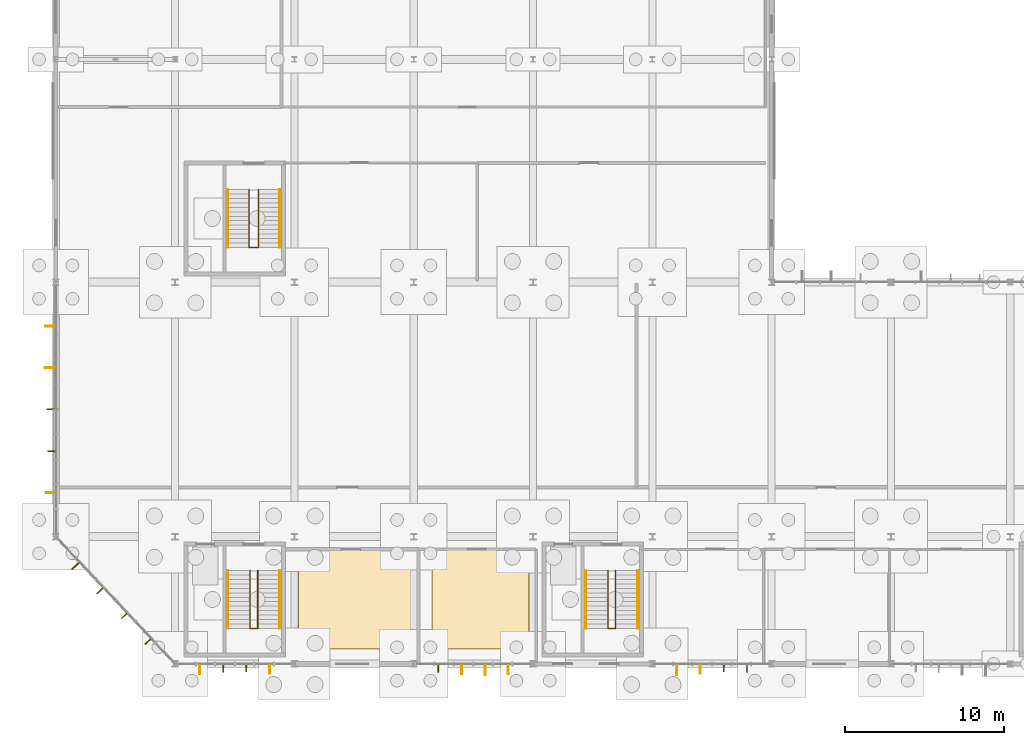
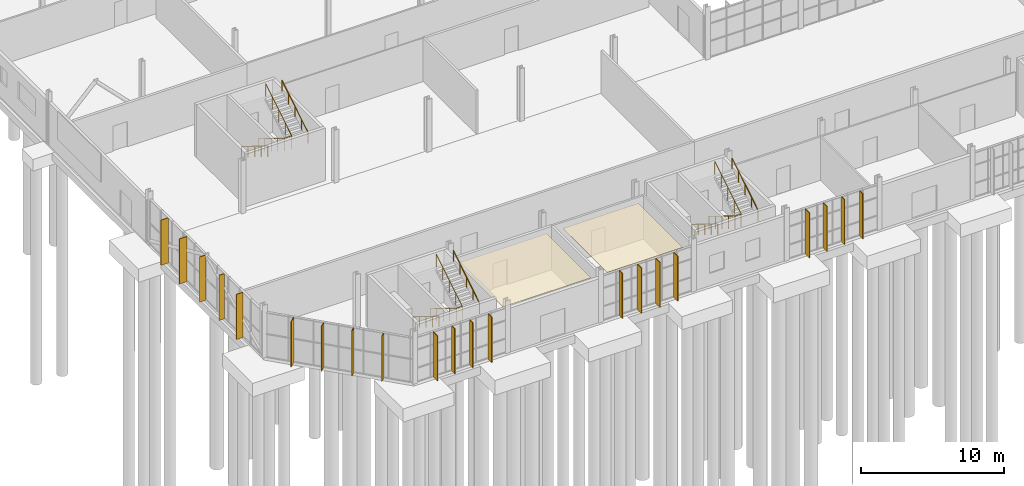
# One storey, part 119 of 136: 23 coverings, 9 railings.
"""IFC4 building model written with IfcOpenShell, lengths in metres."""

from ifc_helpers import new_model, si_unit, direction, frame, origin, origin_2d, place, context, subcontext, project, spatial, polyline, rectangle, circle, outline, extrude, material, layer, layer_set, type_object, element, save


model = new_model("IFC4")

# Units and contexts
model_context = context("Model", 3, precision=1e-05, world=origin(), true_north=direction((0.0, 1.0)))
body_context = subcontext(model_context, "Body", "Model", "MODEL_VIEW")
ifc_project = project(units=[si_unit("LENGTHUNIT", "METRE"), si_unit("AREAUNIT", "SQUARE_METRE"), si_unit("VOLUMEUNIT", "CUBIC_METRE"), si_unit("PLANEANGLEUNIT", "RADIAN"), si_unit("MASSUNIT", "GRAM", prefix="KILO")], contexts=[model_context])

# Site, building, storey
site_placement = place(None, origin())
site = spatial("IfcSite", under=ifc_project, at=site_placement, CompositionType="ELEMENT")
building_placement = place(site_placement, origin())
building = spatial("IfcBuilding", under=site, at=building_placement, Name="Solvenia Promenade Tram Depot", CompositionType="ELEMENT")
storey_placement = place(building_placement, origin())
storey = spatial("IfcBuildingStorey", under=building, at=storey_placement, Name="L00", CompositionType="ELEMENT", Elevation=0.0)

# Coverings
ifc_material_1 = material(Name="Mineral-fibre acoustic ceiling tile", Category="other")
ifc_layer_1 = layer(ifc_material_1, 0.02001953125, Name="Mineral-fibre acoustic ceiling tile", Category="other")
ifc_layer_set_1 = layer_set([ifc_layer_1], Name="Mineral-fibre acoustic ceiling tile")
covering_type_1 = type_object("IfcCoveringType", Name="Ceiling-Acoustic-20", PredefinedType="CEILING", material=ifc_layer_set_1)
covering_1_placement = place(storey_placement, frame((0.0, 0.0, 3.14990234375)))
element("IfcCovering", 1, at=covering_1_placement, inside=storey, type_object=covering_type_1, Name="Fire Command and Security Room Acoustic Ceiling", PredefinedType="CEILING", context=body_context, shape_type="SweptSolid", body=[
    extrude(outline(polyline([(15.25, 0.949951171875), (22.35009765625, 0.949951171875), (22.35009765625, 7.159912109375), (15.25, 7.159912109375), (15.25, 0.949951171875)])), origin(), (0.0, 0.0, 1.0), 0.02001953125),
])
covering_2_placement = place(storey_placement, frame((0.0, 0.0, 3.14990234375)))
element("IfcCovering", 2, at=covering_2_placement, inside=storey, type_object=covering_type_1, Name="Yard Dispatch Office Acoustic Ceiling", PredefinedType="CEILING", context=body_context, shape_type="SweptSolid", body=[
    extrude(outline(polyline([(23.64990234375, 0.949951171875), (29.75, 0.949951171875), (29.75, 7.159912109375), (23.64990234375, 7.159912109375), (23.64990234375, 0.949951171875)])), origin(), (0.0, 0.0, 1.0), 0.02001953125),
])
ifc_material_2 = material(Name="Anodized aluminium AW-6063 T6", Category="aluminium")
ifc_layer_2 = layer(ifc_material_2, 0.06005859375, Name="Anodized aluminium AW-6063 T6", Category="aluminium")
ifc_layer_set_2 = layer_set([ifc_layer_2], Name="Anodized aluminium AW-6063 T6")
covering_type_2 = type_object("IfcCoveringType", Name="Fin-Param-560", PredefinedType="CLADDING", material=ifc_layer_set_2)
covering_3_placement = place(storey_placement, frame((1.2255859375, 6.142822265625, 0.0), z_axis=(0.0, 0.0, 1.0), x_axis=(0.683910700219, -0.729565729819, 0.0)))
element("IfcCovering", 3, at=covering_3_placement, inside=storey, type_object=covering_type_2, Name="Parametric Vertical Brise-Soleil Fin 253", PredefinedType="CLADDING", context=body_context, shape_type="SweptSolid", body=[
    extrude(rectangle(XDim=0.06005859375, YDim=0.60205078125, at=origin_2d()), origin(), (0.0, 0.0, 1.0), 3.85009765625),
])
covering_4_placement = place(storey_placement, frame((2.762451171875, 4.577392578125, 0.0), z_axis=(0.0, 0.0, 1.0), x_axis=(0.683910700219, -0.729565729819, 0.0)))
element("IfcCovering", 4, at=covering_4_placement, inside=storey, type_object=covering_type_2, Name="Parametric Vertical Brise-Soleil Fin 254", PredefinedType="CLADDING", context=body_context, shape_type="SweptSolid", body=[
    extrude(rectangle(XDim=0.06005859375, YDim=0.5009765625, at=origin_2d()), origin(), (0.0, 0.0, 1.0), 3.85009765625),
])
covering_5_placement = place(storey_placement, frame((4.289794921875, 3.0029296875, 0.0), z_axis=(0.0, 0.0, 1.0), x_axis=(0.683910700219, -0.729565729819, 0.0)))
element("IfcCovering", 5, at=covering_5_placement, inside=storey, type_object=covering_type_2, Name="Parametric Vertical Brise-Soleil Fin 255", PredefinedType="CLADDING", context=body_context, shape_type="SweptSolid", body=[
    extrude(rectangle(XDim=0.06005859375, YDim=0.426025390625, at=origin_2d()), origin(), (0.0, 0.0, 1.0), 3.85009765625),
])
covering_6_placement = place(storey_placement, frame((5.78369140625, 1.397216796875, 0.0), z_axis=(0.0, 0.0, 1.0), x_axis=(0.683910700219, -0.729565729819, 0.0)))
element("IfcCovering", 6, at=covering_6_placement, inside=storey, type_object=covering_type_2, Name="Parametric Vertical Brise-Soleil Fin 256", PredefinedType="CLADDING", context=body_context, shape_type="SweptSolid", body=[
    extrude(rectangle(XDim=0.06005859375, YDim=0.443115234375, at=origin_2d()), origin(), (0.0, 0.0, 1.0), 3.85009765625),
])
covering_7_placement = place(storey_placement, frame((9.048095703125, -0.366943359375, 0.0), z_axis=(0.0, 0.0, 1.0), x_axis=(1.0, 0.0, 0.0)))
element("IfcCovering", 7, at=covering_7_placement, inside=storey, type_object=covering_type_2, Name="Parametric Vertical Brise-Soleil Fin 261", PredefinedType="CLADDING", context=body_context, shape_type="SweptSolid", body=[
    extrude(rectangle(XDim=0.06005859375, YDim=0.583984375, at=origin_2d()), origin(), (0.0, 0.0, 1.0), 3.85009765625),
])
covering_8_placement = place(storey_placement, frame((10.51611328125, -0.302490234375, 0.0), z_axis=(0.0, 0.0, 1.0), x_axis=(1.0, 0.0, 0.0)))
element("IfcCovering", 8, at=covering_8_placement, inside=storey, type_object=covering_type_2, Name="Parametric Vertical Brise-Soleil Fin 262", PredefinedType="CLADDING", context=body_context, shape_type="SweptSolid", body=[
    extrude(rectangle(XDim=0.06005859375, YDim=0.455078125, at=origin_2d()), origin(), (0.0, 0.0, 1.0), 3.85009765625),
])
covering_9_placement = place(storey_placement, frame((11.98388671875, -0.29052734375, 0.0), z_axis=(0.0, 0.0, 1.0), x_axis=(1.0, 0.0, 0.0)))
element("IfcCovering", 9, at=covering_9_placement, inside=storey, type_object=covering_type_2, Name="Parametric Vertical Brise-Soleil Fin 263", PredefinedType="CLADDING", context=body_context, shape_type="SweptSolid", body=[
    extrude(rectangle(XDim=0.06005859375, YDim=0.430908203125, at=origin_2d()), origin(), (0.0, 0.0, 1.0), 3.85009765625),
])
covering_10_placement = place(storey_placement, frame((13.451904296875, -0.347412109375, 0.0), z_axis=(0.0, 0.0, 1.0), x_axis=(1.0, 0.0, 0.0)))
element("IfcCovering", 10, at=covering_10_placement, inside=storey, type_object=covering_type_2, Name="Parametric Vertical Brise-Soleil Fin 264", PredefinedType="CLADDING", context=body_context, shape_type="SweptSolid", body=[
    extrude(rectangle(XDim=0.06005859375, YDim=0.544921875, at=origin_2d()), origin(), (0.0, 0.0, 1.0), 3.85009765625),
])
covering_11_placement = place(storey_placement, frame((24.048095703125, -0.294921875, 0.0), z_axis=(0.0, 0.0, 1.0), x_axis=(1.0, 0.0, 0.0)))
element("IfcCovering", 11, at=covering_11_placement, inside=storey, type_object=covering_type_2, Name="Parametric Vertical Brise-Soleil Fin 265", PredefinedType="CLADDING", context=body_context, shape_type="SweptSolid", body=[
    extrude(rectangle(XDim=0.06005859375, YDim=0.43994140625, at=origin_2d()), origin(), (0.0, 0.0, 1.0), 3.85009765625),
])
covering_12_placement = place(storey_placement, frame((25.51611328125, -0.35693359375, 0.0), z_axis=(0.0, 0.0, 1.0), x_axis=(1.0, 0.0, 0.0)))
element("IfcCovering", 12, at=covering_12_placement, inside=storey, type_object=covering_type_2, Name="Parametric Vertical Brise-Soleil Fin 266", PredefinedType="CLADDING", context=body_context, shape_type="SweptSolid", body=[
    extrude(rectangle(XDim=0.06005859375, YDim=0.56396484375, at=origin_2d()), origin(), (0.0, 0.0, 1.0), 3.85009765625),
])
covering_13_placement = place(storey_placement, frame((26.98388671875, -0.39501953125, 0.0), z_axis=(0.0, 0.0, 1.0), x_axis=(1.0, 0.0, 0.0)))
element("IfcCovering", 13, at=covering_13_placement, inside=storey, type_object=covering_type_2, Name="Parametric Vertical Brise-Soleil Fin 267", PredefinedType="CLADDING", context=body_context, shape_type="SweptSolid", body=[
    extrude(rectangle(XDim=0.06005859375, YDim=0.639892578125, at=origin_2d()), origin(), (0.0, 0.0, 1.0), 3.85009765625),
])
covering_14_placement = place(storey_placement, frame((28.451904296875, -0.3564453125, 0.0), z_axis=(0.0, 0.0, 1.0), x_axis=(1.0, 0.0, 0.0)))
element("IfcCovering", 14, at=covering_14_placement, inside=storey, type_object=covering_type_2, Name="Parametric Vertical Brise-Soleil Fin 268", PredefinedType="CLADDING", context=body_context, shape_type="SweptSolid", body=[
    extrude(rectangle(XDim=0.06005859375, YDim=0.56298828125, at=origin_2d()), origin(), (0.0, 0.0, 1.0), 3.85009765625),
])
covering_15_placement = place(storey_placement, frame((39.048095703125, -0.39404296875, 0.0), z_axis=(0.0, 0.0, 1.0), x_axis=(1.0, 0.0, 0.0)))
element("IfcCovering", 15, at=covering_15_placement, inside=storey, type_object=covering_type_2, Name="Parametric Vertical Brise-Soleil Fin 269", PredefinedType="CLADDING", context=body_context, shape_type="SweptSolid", body=[
    extrude(rectangle(XDim=0.06005859375, YDim=0.637939453125, at=origin_2d()), origin(), (0.0, 0.0, 1.0), 3.85009765625),
])
covering_16_placement = place(storey_placement, frame((40.51611328125, -0.346923828125, 0.0), z_axis=(0.0, 0.0, 1.0), x_axis=(1.0, 0.0, 0.0)))
element("IfcCovering", 16, at=covering_16_placement, inside=storey, type_object=covering_type_2, Name="Parametric Vertical Brise-Soleil Fin 270", PredefinedType="CLADDING", context=body_context, shape_type="SweptSolid", body=[
    extrude(rectangle(XDim=0.06005859375, YDim=0.5439453125, at=origin_2d()), origin(), (0.0, 0.0, 1.0), 3.85009765625),
])
covering_17_placement = place(storey_placement, frame((41.98388671875, -0.2900390625, 0.0), z_axis=(0.0, 0.0, 1.0), x_axis=(1.0, 0.0, 0.0)))
element("IfcCovering", 17, at=covering_17_placement, inside=storey, type_object=covering_type_2, Name="Parametric Vertical Brise-Soleil Fin 271", PredefinedType="CLADDING", context=body_context, shape_type="SweptSolid", body=[
    extrude(rectangle(XDim=0.06005859375, YDim=0.429931640625, at=origin_2d()), origin(), (0.0, 0.0, 1.0), 3.85009765625),
])
covering_18_placement = place(storey_placement, frame((43.451904296875, -0.302490234375, 0.0), z_axis=(0.0, 0.0, 1.0), x_axis=(1.0, 0.0, 0.0)))
element("IfcCovering", 18, at=covering_18_placement, inside=storey, type_object=covering_type_2, Name="Parametric Vertical Brise-Soleil Fin 272", PredefinedType="CLADDING", context=body_context, shape_type="SweptSolid", body=[
    extrude(rectangle(XDim=0.06005859375, YDim=0.455078125, at=origin_2d()), origin(), (0.0, 0.0, 1.0), 3.85009765625),
])
covering_19_placement = place(storey_placement, frame((-0.35107421875, 10.7666015625, 0.0), z_axis=(0.0, 0.0, 1.0), x_axis=(0.0, 1.0, 0.0)))
element("IfcCovering", 19, at=covering_19_placement, inside=storey, type_object=covering_type_2, Name="Parametric Vertical Brise-Soleil Fin 296", PredefinedType="CLADDING", context=body_context, shape_type="SweptSolid", body=[
    extrude(rectangle(XDim=0.06005859375, YDim=0.552001953125, at=origin_2d()), origin(), (0.0, 0.0, 1.0), 3.85009765625),
])
covering_20_placement = place(storey_placement, frame((-0.28759765625, 13.38330078125, 0.0), z_axis=(0.0, 0.0, 1.0), x_axis=(0.0, 1.0, 0.0)))
element("IfcCovering", 20, at=covering_20_placement, inside=storey, type_object=covering_type_2, Name="Parametric Vertical Brise-Soleil Fin 297", PredefinedType="CLADDING", context=body_context, shape_type="SweptSolid", body=[
    extrude(rectangle(XDim=0.06005859375, YDim=0.425048828125, at=origin_2d()), origin(), (0.0, 0.0, 1.0), 3.85009765625),
])
covering_21_placement = place(storey_placement, frame((-0.318603515625, 16.0, 0.0), z_axis=(0.0, 0.0, 1.0), x_axis=(0.0, 1.0, 0.0)))
element("IfcCovering", 21, at=covering_21_placement, inside=storey, type_object=covering_type_2, Name="Parametric Vertical Brise-Soleil Fin 298", PredefinedType="CLADDING", context=body_context, shape_type="SweptSolid", body=[
    extrude(rectangle(XDim=0.06005859375, YDim=0.487060546875, at=origin_2d()), origin(), (0.0, 0.0, 1.0), 3.85009765625),
])
covering_22_placement = place(storey_placement, frame((-0.387939453125, 18.61669921875, 0.0), z_axis=(0.0, 0.0, 1.0), x_axis=(0.0, 1.0, 0.0)))
element("IfcCovering", 22, at=covering_22_placement, inside=storey, type_object=covering_type_2, Name="Parametric Vertical Brise-Soleil Fin 299", PredefinedType="CLADDING", context=body_context, shape_type="SweptSolid", body=[
    extrude(rectangle(XDim=0.06005859375, YDim=0.6259765625, at=origin_2d()), origin(), (0.0, 0.0, 1.0), 3.85009765625),
])
covering_23_placement = place(storey_placement, frame((-0.37109375, 21.2333984375, 0.0), z_axis=(0.0, 0.0, 1.0), x_axis=(0.0, 1.0, 0.0)))
element("IfcCovering", 23, at=covering_23_placement, inside=storey, type_object=covering_type_2, Name="Parametric Vertical Brise-Soleil Fin 300", PredefinedType="CLADDING", context=body_context, shape_type="SweptSolid", body=[
    extrude(rectangle(XDim=0.06005859375, YDim=0.592041015625, at=origin_2d()), origin(), (0.0, 0.0, 1.0), 3.85009765625),
])

# Railings
railing_type_1 = type_object("IfcRailingType", Name="Guard-Stair-1100", PredefinedType="GUARDRAIL", material=ifc_material_2)
railing_1_placement = place(storey_placement, frame((12.2099609375, 5.8701171875, 0.0)))
element("IfcRailing", 24, at=railing_1_placement, inside=storey, type_object=railing_type_1, Name="Stair Inner Well Guard ST-01-L00", PredefinedType="GUARDRAIL", context=body_context, shape_type="SweptSolid", body=[
    extrude(circle(Radius=0.02392578125, at=origin_2d()), frame((0.0, 0.0, 1.09619140625), z_axis=(0.0, -0.850622404505, 0.525777067734), x_axis=(1.0, 0.0, 0.0)), (0.0, 0.0, 1.0), 4.279296875),
    extrude(circle(Radius=0.02392578125, at=origin_2d()), frame((0.0, -3.64013671875, 3.34619140625), z_axis=(1.0, 0.0, 0.0), x_axis=(0.0, 1.0, 0.0)), (0.0, 0.0, 1.0), 0.47998046875),
    extrude(circle(Radius=0.02392578125, at=origin_2d()), frame((0.47998046875, -3.64013671875, 3.34619140625), z_axis=(0.0, 0.850622404505, 0.525777067734), x_axis=(-1.0, 0.0, 0.0)), (0.0, 0.0, 1.0), 4.279296875),
    extrude(circle(Radius=0.02099609375, at=origin_2d()), origin(), (0.0, 0.0, 1.0), 1.072021484375),
    extrude(circle(Radius=0.02099609375, at=origin_2d()), frame((0.0, -0.91015625, 0.5625)), (0.0, 0.0, 1.0), 1.072021484375),
    extrude(circle(Radius=0.02099609375, at=origin_2d()), frame((0.0, -1.820068359375, 1.125)), (0.0, 0.0, 1.0), 1.072021484375),
    extrude(circle(Radius=0.02099609375, at=origin_2d()), frame((0.0, -2.72998046875, 1.6875)), (0.0, 0.0, 1.0), 1.072021484375),
    extrude(circle(Radius=0.02099609375, at=origin_2d()), frame((0.0, -3.64013671875, 2.25)), (0.0, 0.0, 1.0), 1.072021484375),
    extrude(circle(Radius=0.02099609375, at=origin_2d()), frame((0.47998046875, -3.64013671875, 2.25)), (0.0, 0.0, 1.0), 1.072021484375),
    extrude(circle(Radius=0.02099609375, at=origin_2d()), frame((0.47998046875, -2.72998046875, 2.8125)), (0.0, 0.0, 1.0), 1.072021484375),
    extrude(circle(Radius=0.02099609375, at=origin_2d()), frame((0.47998046875, -1.820068359375, 3.375)), (0.0, 0.0, 1.0), 1.072021484375),
    extrude(circle(Radius=0.02099609375, at=origin_2d()), frame((0.47998046875, -0.91015625, 3.9375)), (0.0, 0.0, 1.0), 1.072021484375),
    extrude(circle(Radius=0.02099609375, at=origin_2d()), frame((0.47998046875, 0.0, 4.5)), (0.0, 0.0, 1.0), 1.072021484375),
])
railing_2_placement = place(storey_placement, frame((34.7099609375, 5.8701171875, 0.0)))
element("IfcRailing", 25, at=railing_2_placement, inside=storey, type_object=railing_type_1, Name="Stair Inner Well Guard ST-02-L00", PredefinedType="GUARDRAIL", context=body_context, shape_type="SweptSolid", body=[
    extrude(circle(Radius=0.02392578125, at=origin_2d()), frame((0.0, 0.0, 1.09619140625), z_axis=(0.0, -0.850622404505, 0.525777067734), x_axis=(1.0, 0.0, 0.0)), (0.0, 0.0, 1.0), 4.279296875),
    extrude(circle(Radius=0.02392578125, at=origin_2d()), frame((0.0, -3.64013671875, 3.34619140625), z_axis=(1.0, 0.0, 0.0), x_axis=(0.0, 1.0, 0.0)), (0.0, 0.0, 1.0), 0.47998046875),
    extrude(circle(Radius=0.02392578125, at=origin_2d()), frame((0.47998046875, -3.64013671875, 3.34619140625), z_axis=(0.0, 0.850622404505, 0.525777067734), x_axis=(-1.0, 0.0, 0.0)), (0.0, 0.0, 1.0), 4.279296875),
    extrude(circle(Radius=0.02099609375, at=origin_2d()), origin(), (0.0, 0.0, 1.0), 1.072021484375),
    extrude(circle(Radius=0.02099609375, at=origin_2d()), frame((0.0, -0.91015625, 0.5625)), (0.0, 0.0, 1.0), 1.072021484375),
    extrude(circle(Radius=0.02099609375, at=origin_2d()), frame((0.0, -1.820068359375, 1.125)), (0.0, 0.0, 1.0), 1.072021484375),
    extrude(circle(Radius=0.02099609375, at=origin_2d()), frame((0.0, -2.72998046875, 1.6875)), (0.0, 0.0, 1.0), 1.072021484375),
    extrude(circle(Radius=0.02099609375, at=origin_2d()), frame((0.0, -3.64013671875, 2.25)), (0.0, 0.0, 1.0), 1.072021484375),
    extrude(circle(Radius=0.02099609375, at=origin_2d()), frame((0.47998046875, -3.64013671875, 2.25)), (0.0, 0.0, 1.0), 1.072021484375),
    extrude(circle(Radius=0.02099609375, at=origin_2d()), frame((0.47998046875, -2.72998046875, 2.8125)), (0.0, 0.0, 1.0), 1.072021484375),
    extrude(circle(Radius=0.02099609375, at=origin_2d()), frame((0.47998046875, -1.820068359375, 3.375)), (0.0, 0.0, 1.0), 1.072021484375),
    extrude(circle(Radius=0.02099609375, at=origin_2d()), frame((0.47998046875, -0.91015625, 3.9375)), (0.0, 0.0, 1.0), 1.072021484375),
    extrude(circle(Radius=0.02099609375, at=origin_2d()), frame((0.47998046875, 0.0, 4.5)), (0.0, 0.0, 1.0), 1.072021484375),
])
railing_3_placement = place(storey_placement, frame((12.14990234375, 29.820068359375, 0.0)))
element("IfcRailing", 26, at=railing_3_placement, inside=storey, type_object=railing_type_1, Name="Stair Inner Well Guard ST-07-L00", PredefinedType="GUARDRAIL", context=body_context, shape_type="SweptSolid", body=[
    extrude(circle(Radius=0.02392578125, at=origin_2d()), frame((0.0, 0.0, 1.09619140625), z_axis=(0.0, -0.850622404505, 0.525777067734), x_axis=(1.0, 0.0, 0.0)), (0.0, 0.0, 1.0), 4.279296875),
    extrude(circle(Radius=0.02392578125, at=origin_2d()), frame((0.0, -3.64013671875, 3.34619140625), z_axis=(1.0, 0.0, 0.0), x_axis=(0.0, 1.0, 0.0)), (0.0, 0.0, 1.0), 0.60009765625),
    extrude(circle(Radius=0.02392578125, at=origin_2d()), frame((0.60009765625, -3.64013671875, 3.34619140625), z_axis=(0.0, 0.850622404505, 0.525777067734), x_axis=(-1.0, 0.0, 0.0)), (0.0, 0.0, 1.0), 4.279296875),
    extrude(circle(Radius=0.02099609375, at=origin_2d()), origin(), (0.0, 0.0, 1.0), 1.072021484375),
    extrude(circle(Radius=0.02099609375, at=origin_2d()), frame((0.0, -0.91015625, 0.5625)), (0.0, 0.0, 1.0), 1.072021484375),
    extrude(circle(Radius=0.02099609375, at=origin_2d()), frame((0.0, -1.820068359375, 1.125)), (0.0, 0.0, 1.0), 1.072021484375),
    extrude(circle(Radius=0.02099609375, at=origin_2d()), frame((0.0, -2.72998046875, 1.6875)), (0.0, 0.0, 1.0), 1.072021484375),
    extrude(circle(Radius=0.02099609375, at=origin_2d()), frame((0.0, -3.64013671875, 2.25)), (0.0, 0.0, 1.0), 1.072021484375),
    extrude(circle(Radius=0.02099609375, at=origin_2d()), frame((0.60009765625, -3.64013671875, 2.25)), (0.0, 0.0, 1.0), 1.072021484375),
    extrude(circle(Radius=0.02099609375, at=origin_2d()), frame((0.60009765625, -2.72998046875, 2.8125)), (0.0, 0.0, 1.0), 1.072021484375),
    extrude(circle(Radius=0.02099609375, at=origin_2d()), frame((0.60009765625, -1.820068359375, 3.375)), (0.0, 0.0, 1.0), 1.072021484375),
    extrude(circle(Radius=0.02099609375, at=origin_2d()), frame((0.60009765625, -0.91015625, 3.9375)), (0.0, 0.0, 1.0), 1.072021484375),
    extrude(circle(Radius=0.02099609375, at=origin_2d()), frame((0.60009765625, 0.0, 4.5)), (0.0, 0.0, 1.0), 1.072021484375),
])
railing_type_2 = type_object("IfcRailingType", Name="Handrail-Stair-920", PredefinedType="HANDRAIL", material=ifc_material_2)
railing_4_placement = place(storey_placement, frame((10.820068359375, 5.8701171875, 0.0)))
element("IfcRailing", 27, at=railing_4_placement, inside=storey, type_object=railing_type_2, Name="Stair Wall Handrail ST-01-L00-F1", PredefinedType="HANDRAIL", context=body_context, shape_type="SweptSolid", body=[
    extrude(circle(Radius=0.02392578125, at=origin_2d()), frame((0.0, 0.0, 0.89599609375), z_axis=(0.0, -0.850622404505, 0.525777067734), x_axis=(1.0, 0.0, 0.0)), (0.0, 0.0, 1.0), 4.279296875),
    extrude(circle(Radius=0.02099609375, at=origin_2d()), origin(), (0.0, 0.0, 1.0), 0.871826171875),
    extrude(circle(Radius=0.02099609375, at=origin_2d()), frame((0.0, -0.91015625, 0.5625)), (0.0, 0.0, 1.0), 0.871826171875),
    extrude(circle(Radius=0.02099609375, at=origin_2d()), frame((0.0, -1.820068359375, 1.125)), (0.0, 0.0, 1.0), 0.871826171875),
    extrude(circle(Radius=0.02099609375, at=origin_2d()), frame((0.0, -2.72998046875, 1.6875)), (0.0, 0.0, 1.0), 0.871826171875),
    extrude(circle(Radius=0.02099609375, at=origin_2d()), frame((0.0, -3.64013671875, 2.25)), (0.0, 0.0, 1.0), 0.871826171875),
])
railing_5_placement = place(storey_placement, frame((14.080078125, 2.22998046875, 2.25)))
element("IfcRailing", 28, at=railing_5_placement, inside=storey, type_object=railing_type_2, Name="Stair Wall Handrail ST-01-L00-F2", PredefinedType="HANDRAIL", context=body_context, shape_type="SweptSolid", body=[
    extrude(circle(Radius=0.02392578125, at=origin_2d()), frame((0.0, 0.0, 0.89599609375), z_axis=(0.0, 0.850622404505, 0.525777067734), x_axis=(-1.0, 0.0, 0.0)), (0.0, 0.0, 1.0), 4.279296875),
    extrude(circle(Radius=0.02099609375, at=origin_2d()), origin(), (0.0, 0.0, 1.0), 0.871826171875),
    extrude(circle(Radius=0.02099609375, at=origin_2d()), frame((0.0, 0.91015625, 0.5625)), (0.0, 0.0, 1.0), 0.871826171875),
    extrude(circle(Radius=0.02099609375, at=origin_2d()), frame((0.0, 1.820068359375, 1.125)), (0.0, 0.0, 1.0), 0.871826171875),
    extrude(circle(Radius=0.02099609375, at=origin_2d()), frame((0.0, 2.72998046875, 1.6875)), (0.0, 0.0, 1.0), 0.871826171875),
    extrude(circle(Radius=0.02099609375, at=origin_2d()), frame((0.0, 3.64013671875, 2.25)), (0.0, 0.0, 1.0), 0.871826171875),
])
railing_6_placement = place(storey_placement, frame((33.320068359375, 5.8701171875, 0.0)))
element("IfcRailing", 29, at=railing_6_placement, inside=storey, type_object=railing_type_2, Name="Stair Wall Handrail ST-02-L00-F1", PredefinedType="HANDRAIL", context=body_context, shape_type="SweptSolid", body=[
    extrude(circle(Radius=0.02392578125, at=origin_2d()), frame((0.0, 0.0, 0.89599609375), z_axis=(0.0, -0.850622404505, 0.525777067734), x_axis=(1.0, 0.0, 0.0)), (0.0, 0.0, 1.0), 4.279296875),
    extrude(circle(Radius=0.02099609375, at=origin_2d()), origin(), (0.0, 0.0, 1.0), 0.871826171875),
    extrude(circle(Radius=0.02099609375, at=origin_2d()), frame((0.0, -0.91015625, 0.5625)), (0.0, 0.0, 1.0), 0.871826171875),
    extrude(circle(Radius=0.02099609375, at=origin_2d()), frame((0.0, -1.820068359375, 1.125)), (0.0, 0.0, 1.0), 0.871826171875),
    extrude(circle(Radius=0.02099609375, at=origin_2d()), frame((0.0, -2.72998046875, 1.6875)), (0.0, 0.0, 1.0), 0.871826171875),
    extrude(circle(Radius=0.02099609375, at=origin_2d()), frame((0.0, -3.64013671875, 2.25)), (0.0, 0.0, 1.0), 0.871826171875),
])
railing_7_placement = place(storey_placement, frame((36.580078125, 2.22998046875, 2.25)))
element("IfcRailing", 30, at=railing_7_placement, inside=storey, type_object=railing_type_2, Name="Stair Wall Handrail ST-02-L00-F2", PredefinedType="HANDRAIL", context=body_context, shape_type="SweptSolid", body=[
    extrude(circle(Radius=0.02392578125, at=origin_2d()), frame((0.0, 0.0, 0.89599609375), z_axis=(0.0, 0.850622404505, 0.525777067734), x_axis=(-1.0, 0.0, 0.0)), (0.0, 0.0, 1.0), 4.279296875),
    extrude(circle(Radius=0.02099609375, at=origin_2d()), origin(), (0.0, 0.0, 1.0), 0.871826171875),
    extrude(circle(Radius=0.02099609375, at=origin_2d()), frame((0.0, 0.91015625, 0.5625)), (0.0, 0.0, 1.0), 0.871826171875),
    extrude(circle(Radius=0.02099609375, at=origin_2d()), frame((0.0, 1.820068359375, 1.125)), (0.0, 0.0, 1.0), 0.871826171875),
    extrude(circle(Radius=0.02099609375, at=origin_2d()), frame((0.0, 2.72998046875, 1.6875)), (0.0, 0.0, 1.0), 0.871826171875),
    extrude(circle(Radius=0.02099609375, at=origin_2d()), frame((0.0, 3.64013671875, 2.25)), (0.0, 0.0, 1.0), 0.871826171875),
])
railing_8_placement = place(storey_placement, frame((10.820068359375, 29.820068359375, 0.0)))
element("IfcRailing", 31, at=railing_8_placement, inside=storey, type_object=railing_type_2, Name="Stair Wall Handrail ST-07-L00-F1", PredefinedType="HANDRAIL", context=body_context, shape_type="SweptSolid", body=[
    extrude(circle(Radius=0.02392578125, at=origin_2d()), frame((0.0, 0.0, 0.89599609375), z_axis=(0.0, -0.850622404505, 0.525777067734), x_axis=(1.0, 0.0, 0.0)), (0.0, 0.0, 1.0), 4.279296875),
    extrude(circle(Radius=0.02099609375, at=origin_2d()), origin(), (0.0, 0.0, 1.0), 0.871826171875),
    extrude(circle(Radius=0.02099609375, at=origin_2d()), frame((0.0, -0.91015625, 0.5625)), (0.0, 0.0, 1.0), 0.871826171875),
    extrude(circle(Radius=0.02099609375, at=origin_2d()), frame((0.0, -1.820068359375, 1.125)), (0.0, 0.0, 1.0), 0.871826171875),
    extrude(circle(Radius=0.02099609375, at=origin_2d()), frame((0.0, -2.72998046875, 1.6875)), (0.0, 0.0, 1.0), 0.871826171875),
    extrude(circle(Radius=0.02099609375, at=origin_2d()), frame((0.0, -3.64013671875, 2.25)), (0.0, 0.0, 1.0), 0.871826171875),
])
railing_9_placement = place(storey_placement, frame((14.080078125, 26.179931640625, 2.25)))
element("IfcRailing", 32, at=railing_9_placement, inside=storey, type_object=railing_type_2, Name="Stair Wall Handrail ST-07-L00-F2", PredefinedType="HANDRAIL", context=body_context, shape_type="SweptSolid", body=[
    extrude(circle(Radius=0.02392578125, at=origin_2d()), frame((0.0, 0.0, 0.89599609375), z_axis=(0.0, 0.850622404505, 0.525777067734), x_axis=(-1.0, 0.0, 0.0)), (0.0, 0.0, 1.0), 4.279296875),
    extrude(circle(Radius=0.02099609375, at=origin_2d()), origin(), (0.0, 0.0, 1.0), 0.871826171875),
    extrude(circle(Radius=0.02099609375, at=origin_2d()), frame((0.0, 0.91015625, 0.5625)), (0.0, 0.0, 1.0), 0.871826171875),
    extrude(circle(Radius=0.02099609375, at=origin_2d()), frame((0.0, 1.820068359375, 1.125)), (0.0, 0.0, 1.0), 0.871826171875),
    extrude(circle(Radius=0.02099609375, at=origin_2d()), frame((0.0, 2.72998046875, 1.6875)), (0.0, 0.0, 1.0), 0.871826171875),
    extrude(circle(Radius=0.02099609375, at=origin_2d()), frame((0.0, 3.64013671875, 2.25)), (0.0, 0.0, 1.0), 0.871826171875),
])

save(model, "model.ifc")
